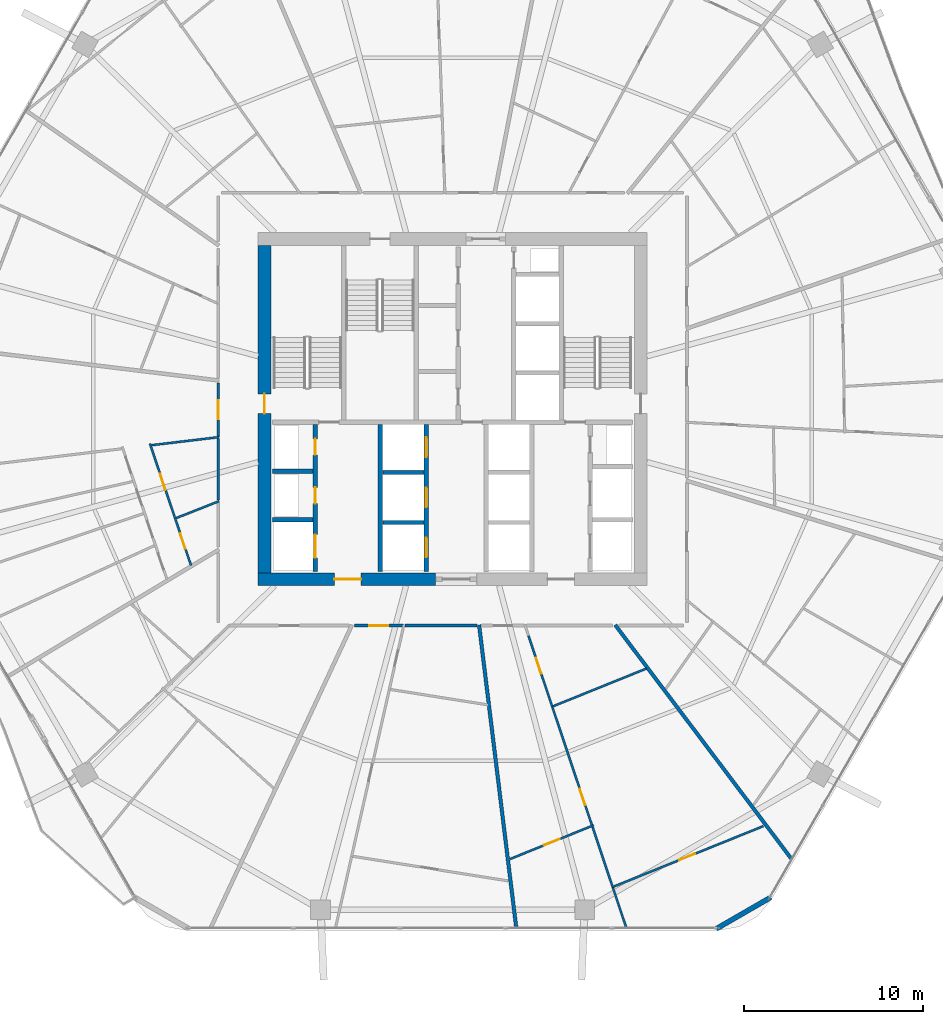
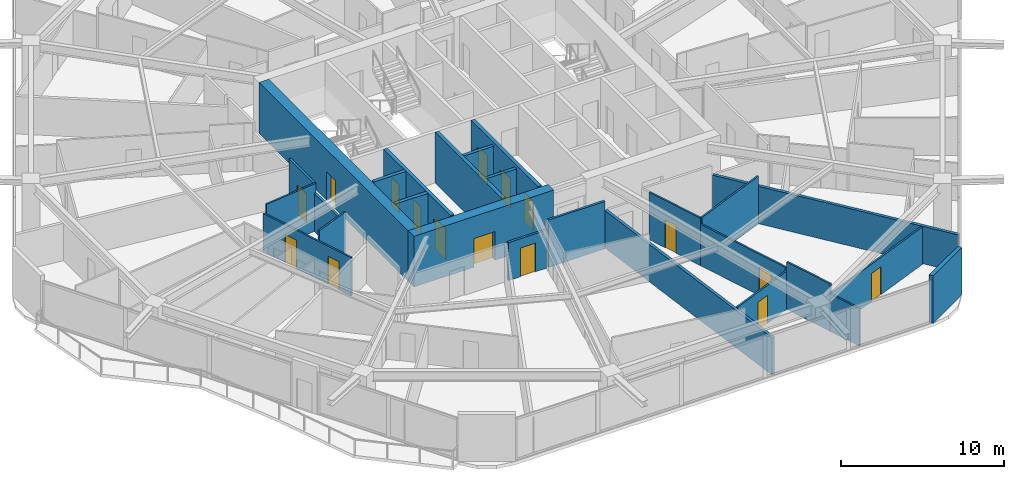
# One storey, part 25 of 32: 26 walls, 16 doors, 16 openings.
"""IFC4 building model written with IfcOpenShell, lengths in metres."""

from ifc_helpers import new_model, si_unit, direction, frame, frame_2d, origin, place, context, subcontext, project, spatial, rectangle, extrude, material, layer, layer_set, type_object, element, fill, save


model = new_model("IFC4")

# Units and contexts
model_context = context("Model", 3, precision=1e-05, world=origin(), true_north=direction((0.0, 1.0)))
body_context = subcontext(model_context, "Body", "Model", "MODEL_VIEW")
ifc_project = project(units=[si_unit("LENGTHUNIT", "METRE"), si_unit("AREAUNIT", "SQUARE_METRE"), si_unit("VOLUMEUNIT", "CUBIC_METRE"), si_unit("PLANEANGLEUNIT", "RADIAN"), si_unit("MASSUNIT", "GRAM", prefix="KILO")], contexts=[model_context])

# Site, building, storey
site_placement = place(None, origin())
site = spatial("IfcSite", under=ifc_project, at=site_placement, CompositionType="ELEMENT")
building_placement = place(site_placement, origin())
building = spatial("IfcBuilding", under=site, at=building_placement, Name="Zuhravey Tower", CompositionType="ELEMENT")
storey_placement = place(building_placement, frame((0.0, 0.0, 111.39990234375)))
storey = spatial("IfcBuildingStorey", under=building, at=storey_placement, Name="L27", CompositionType="ELEMENT", Elevation=111.39990234375)

# Wall, opening, door
ifc_material_1 = material(Name="Concrete C60/75", Category="concrete")
ifc_layer_1 = layer(ifc_material_1, 0.699951171875)
ifc_layer_set_1 = layer_set([ifc_layer_1], Name="Concrete C60/75")
wall_type_1 = type_object("IfcWallType", Name="Core Shear Wall 700", PredefinedType="SHEAR", material=ifc_layer_set_1)
wall_1_placement = place(storey_placement, frame((25.14990234375, 22.5, 0.0), z_axis=(0.0, 0.0, 1.0), x_axis=(1.0, 0.0, 0.0)))
wall_1 = element("IfcWall", 1, at=wall_1_placement, inside=storey, type_object=wall_type_1, Name="L27 South-West Core Shear Wall CW70", PredefinedType="SHEAR", context=body_context, shape_type="SweptSolid", body=[
    extrude(rectangle(XDim=9.900146484375, YDim=0.699951171875, at=frame_2d((4.9501953125, 0.0))), origin(), (0.0, 0.0, 1.0), 3.800048828125),
])
opening_1_placement = place(wall_1_placement, frame((4.25, 0.0, 0.0)))
opening_1 = element("IfcOpeningElement", 2, at=opening_1_placement, cuts=wall_1, Name="Opening FFD1", PredefinedType="OPENING", context=body_context, shape_type="SweptSolid", body=[
    extrude(rectangle(XDim=1.5, YDim=2.14990234375, at=frame_2d((0.75, 1.074951171875))), frame((0.0, 0.362060546875, 0.0), z_axis=(0.0, -1.0, 0.0), x_axis=(1.0, 0.0, 0.0)), (0.0, 0.0, 1.0), 0.723876953125),
])
ifc_material_2 = material(Name="Galvanised fire-rated steel leaf", Category="steel")
door_type_1 = type_object("IfcDoorType", Name="Firefighting Lobby Double Door 1500x2150", OperationType="DOUBLE_DOOR_SINGLE_SWING", PredefinedType="DOOR", material=ifc_material_2)
door_1_placement = place(opening_1_placement, origin())
door_1 = element("IfcDoor", 3, at=door_1_placement, inside=storey, type_object=door_type_1, Name="L27 Firefighting Lobby West Door", OperationType="DOUBLE_DOOR_SINGLE_SWING", OverallHeight=2.14990234375, OverallWidth=1.5, PredefinedType="DOOR", context=body_context, shape_type="SweptSolid", body=[
    extrude(rectangle(XDim=1.5, YDim=2.14990234375, at=frame_2d((0.75, 1.074951171875))), frame((0.0, 0.02490234375, 0.0), z_axis=(0.0, -1.0, 0.0), x_axis=(1.0, 0.0, 0.0)), (0.0, 0.0, 1.0), 0.050048828125),
])
fill(opening_1, door_1)

wall_2_placement = place(storey_placement, frame((25.5, 22.85009765625, 0.0), z_axis=(0.0, 0.0, 1.0), x_axis=(0.0, 1.0, 0.0)))
wall_2 = element("IfcWall", 4, at=wall_2_placement, inside=storey, type_object=wall_type_1, Name="L27 West Core Shear Wall CW70", PredefinedType="SHEAR", context=body_context, shape_type="SweptSolid", body=[
    extrude(rectangle(XDim=18.2998046875, YDim=0.699951171875, at=frame_2d((9.14990234375, 0.0))), origin(), (0.0, 0.0, 1.0), 3.800048828125),
])
opening_2_placement = place(wall_2_placement, frame((8.89990234375, 0.0, 0.0)))
opening_2 = element("IfcOpeningElement", 5, at=opening_2_placement, cuts=wall_2, Name="Opening STD1", PredefinedType="OPENING", context=body_context, shape_type="SweptSolid", body=[
    extrude(rectangle(XDim=1.10009765625, YDim=2.14990234375, at=frame_2d((0.550048828125, 1.074951171875))), frame((0.0, 0.362060546875, 0.0), z_axis=(0.0, -1.0, 0.0), x_axis=(1.0, 0.0, 0.0)), (0.0, 0.0, 1.0), 0.723876953125),
])
door_type_2 = type_object("IfcDoorType", Name="Protected Stair Fire Door 1100x2150", OperationType="NOTDEFINED", PredefinedType="USERDEFINED", material=ifc_material_2)
door_2_placement = place(opening_2_placement, frame((1.10009765625, 0.0, 0.0), z_axis=(0.0, 0.0, 1.0), x_axis=(-1.0, 0.0, 0.0)))
door_2 = element("IfcDoor", 6, at=door_2_placement, inside=storey, type_object=door_type_2, Name="L27 Stair ST1 Door", ObjectType="EXITDOOR", OperationType="SINGLE_SWING_RIGHT", OverallHeight=2.14990234375, OverallWidth=1.10009765625, PredefinedType="USERDEFINED", context=body_context, shape_type="SweptSolid", body=[
    extrude(rectangle(XDim=1.10009765625, YDim=2.14990234375, at=frame_2d((0.550048828125, 1.074951171875))), frame((0.0, 0.02490234375, 0.0), z_axis=(0.0, -1.0, 0.0), x_axis=(1.0, 0.0, 0.0)), (0.0, 0.0, 1.0), 0.050048828125),
])
fill(opening_2, door_2)

ifc_material_3 = material(Name="Gypsum fire-rated stud partition")
ifc_layer_2 = layer(ifc_material_3, 0.159912109375)
ifc_layer_set_2 = layer_set([ifc_layer_2], Name="Gypsum fire-rated stud partition")
wall_type_2 = type_object("IfcWallType", Name="Corridor Fire Partition 160", PredefinedType="PARTITIONING", material=ifc_layer_set_2)
wall_3_placement = place(storey_placement, frame((22.919921875, 33.47021484375, 0.0), z_axis=(0.0, 0.0, 1.0), x_axis=(0.0, -1.0, 0.0)))
wall_3 = element("IfcWall", 7, at=wall_3_placement, inside=storey, type_object=wall_type_2, Name="L27 IW16 Partition 046", PredefinedType="PARTITIONING", context=body_context, shape_type="SweptSolid", body=[
    extrude(rectangle(XDim=3.014404296875, YDim=0.159912109375, at=frame_2d((1.50732421875, 0.0))), origin(), (0.0, 0.0, 1.0), 3.550048828125),
])
opening_3_placement = place(wall_3_placement, frame((0.982177734375, 0.0, 0.0)))
opening_3 = element("IfcOpeningElement", 8, at=opening_3_placement, cuts=wall_3, Name="Opening APD1", PredefinedType="OPENING", context=body_context, shape_type="SweptSolid", body=[
    extrude(rectangle(XDim=1.050048828125, YDim=2.14990234375, at=frame_2d((0.52490234375, 1.074951171875))), frame((0.0, 0.092041015625, 0.0), z_axis=(0.0, -1.0, 0.0), x_axis=(1.0, 0.0, 0.0)), (0.0, 0.0, 1.0), 0.183837890625),
])
ifc_material_4 = material(Name="Solid-core oak fire-rated leaf")
door_type_3 = type_object("IfcDoorType", Name="Apartment Entrance Fire Door 1050x2150", OperationType="NOTDEFINED", PredefinedType="DOOR", material=ifc_material_4)
door_3_placement = place(opening_3_placement, frame((1.050048828125, 0.0, 0.0), z_axis=(0.0, 0.0, 1.0), x_axis=(-1.0, 0.0, 0.0)))
door_3 = element("IfcDoor", 9, at=door_3_placement, inside=storey, type_object=door_type_3, Name="L27 Door 046.1", OperationType="SINGLE_SWING_RIGHT", OverallHeight=2.14990234375, OverallWidth=1.050048828125, PredefinedType="DOOR", context=body_context, shape_type="SweptSolid", body=[
    extrude(rectangle(XDim=1.050048828125, YDim=2.14990234375, at=frame_2d((0.52490234375, 1.074951171875))), frame((0.0, 0.02490234375, 0.0), z_axis=(0.0, -1.0, 0.0), x_axis=(1.0, 0.0, 0.0)), (0.0, 0.0, 1.0), 0.050048828125),
])
fill(opening_3, door_3)

wall_4_placement = place(storey_placement, frame((30.516845703125, 19.919921875, 0.0), z_axis=(0.0, 0.0, 1.0), x_axis=(1.0, 0.0, 0.0)))
wall_4 = element("IfcWall", 10, at=wall_4_placement, inside=storey, type_object=wall_type_2, Name="L27 IW16 Partition 056", PredefinedType="PARTITIONING", context=body_context, shape_type="SweptSolid", body=[
    extrude(rectangle(XDim=2.73583984375, YDim=0.159912109375, at=frame_2d((1.367919921875, 0.0))), origin(), (0.0, 0.0, 1.0), 2.85009765625),
])
opening_4_placement = place(wall_4_placement, frame((0.843017578125, 0.0, 0.0)))
opening_4 = element("IfcOpeningElement", 11, at=opening_4_placement, cuts=wall_4, Name="Opening APD1", PredefinedType="OPENING", context=body_context, shape_type="SweptSolid", body=[
    extrude(rectangle(XDim=1.050048828125, YDim=2.14990234375, at=frame_2d((0.52490234375, 1.074951171875))), frame((0.0, 0.092041015625, 0.0), z_axis=(0.0, -1.0, 0.0), x_axis=(1.0, 0.0, 0.0)), (0.0, 0.0, 1.0), 0.183837890625),
])
door_4_placement = place(opening_4_placement, frame((1.050048828125, 0.0, 0.0), z_axis=(0.0, 0.0, 1.0), x_axis=(-1.0, 0.0, 0.0)))
door_4 = element("IfcDoor", 12, at=door_4_placement, inside=storey, type_object=door_type_3, Name="L27 Door 056.1", OperationType="SINGLE_SWING_RIGHT", OverallHeight=2.14990234375, OverallWidth=1.050048828125, PredefinedType="DOOR", context=body_context, shape_type="SweptSolid", body=[
    extrude(rectangle(XDim=1.050048828125, YDim=2.14990234375, at=frame_2d((0.52490234375, 1.074951171875))), frame((0.0, 0.02490234375, 0.0), z_axis=(0.0, -1.0, 0.0), x_axis=(1.0, 0.0, 0.0)), (0.0, 0.0, 1.0), 0.050048828125),
])
fill(opening_4, door_4)

# Walls
wall_5_placement = place(storey_placement, frame((22.919921875, 30.3671875, 0.0), z_axis=(0.0, 0.0, 1.0), x_axis=(0.0, -1.0, 0.0)))
element("IfcWall", 13, at=wall_5_placement, inside=storey, type_object=wall_type_2, Name="L27 IW16 Partition 144", PredefinedType="PARTITIONING", context=body_context, shape_type="SweptSolid", body=[
    extrude(rectangle(XDim=3.44677734375, YDim=0.159912109375, at=frame_2d((1.723388671875, 0.0))), origin(), (0.0, 0.0, 1.0), 2.85009765625),
])
wall_6_placement = place(storey_placement, frame((33.343017578125, 19.919921875, 0.0), z_axis=(0.0, 0.0, 1.0), x_axis=(1.0, 0.0, 0.0)))
element("IfcWall", 14, at=wall_6_placement, inside=storey, type_object=wall_type_2, Name="L27 IW16 Partition 147", PredefinedType="PARTITIONING", context=body_context, shape_type="SweptSolid", body=[
    extrude(rectangle(XDim=4.01318359375, YDim=0.159912109375, at=frame_2d((2.006591796875, 0.0))), origin(), (0.0, 0.0, 1.0), 3.550048828125),
])
ifc_material_5 = material(Name="Precast concrete C40/50", Category="concrete")
ifc_layer_3 = layer(ifc_material_5, 0.280029296875)
ifc_layer_set_3 = layer_set([ifc_layer_3], Name="Precast concrete C40/50")
wall_type_3 = type_object("IfcWallType", Name="Crown Architectural Wall 280", PredefinedType="SOLIDWALL", material=ifc_layer_set_3)
wall_7_placement = place(storey_placement, frame((53.76123046875, 4.75146484375, 0.0), z_axis=(0.0, 0.0, 1.0), x_axis=(-0.866007452331, -0.500031091541, 0.0)))
element("IfcWall", 15, at=wall_7_placement, inside=storey, type_object=wall_type_3, Name="L27 Rounded Corner Closure Wall EW28-02", PredefinedType="SOLIDWALL", context=body_context, shape_type="SweptSolid", body=[
    extrude(rectangle(XDim=3.514892578125, YDim=0.280029296875, at=frame_2d((1.75732421875, 0.0))), origin(), (0.0, 0.0, 1.0), 3.550048828125),
])
ifc_material_6 = material(Name="Concrete C50/60", Category="concrete")
ifc_layer_4 = layer(ifc_material_6, 0.25)
ifc_layer_set_4 = layer_set([ifc_layer_4], Name="Concrete C50/60")
wall_type_4 = type_object("IfcWallType", Name="Firefighting Shaft & Stair Wall 250", PredefinedType="SOLIDWALL", material=ifc_layer_set_4)
for number, where, z_axis, x_axis, name in (
    (16, (25.949951171875, 25.824951171875, 0.0), (0.0, 0.0, 1.0), (1.0, 0.0, 0.0), "L27 FW25 Shaft Wall 009"),
    (17, (25.949951171875, 28.52490234375, 0.0), (0.0, 0.0, 1.0), (1.0, 0.0, 0.0), "L27 FW25 Shaft Wall 010"),
):
    element("IfcWall", number, at=place(storey_placement, frame(where, z_axis=z_axis, x_axis=x_axis)), inside=storey, type_object=wall_type_4, Name=name, PredefinedType="SOLIDWALL", context=body_context, shape_type="SweptSolid", body=[
        extrude(rectangle(XDim=2.25, YDim=0.25, at=frame_2d((1.125, 0.0))), origin(), (0.0, 0.0, 1.0), 3.800048828125),
    ])

# Wall, openings, doors
wall_8_placement = place(storey_placement, frame((28.324951171875, 22.949951171875, 0.0), z_axis=(0.0, 0.0, 1.0), x_axis=(0.0, 1.0, 0.0)))
wall_8 = element("IfcWall", 18, at=wall_8_placement, inside=storey, type_object=wall_type_4, Name="L27 FW25 Shaft Wall 011", PredefinedType="SOLIDWALL", context=body_context, shape_type="SweptSolid", body=[
    extrude(rectangle(XDim=8.199951171875, YDim=0.25, at=frame_2d((4.10009765625, 0.0))), origin(), (0.0, 0.0, 1.0), 3.800048828125),
])
opening_5_placement = place(wall_8_placement, frame((0.75, 0.0, 0.0)))
opening_5 = element("IfcOpeningElement", 19, at=opening_5_placement, cuts=wall_8, Name="Opening LD2", PredefinedType="OPENING", context=body_context, shape_type="SweptSolid", body=[
    extrude(rectangle(XDim=1.300048828125, YDim=2.300048828125, at=frame_2d((0.64990234375, 1.14990234375))), frame((0.0, 0.136962890625, 0.0), z_axis=(0.0, -1.0, 0.0), x_axis=(1.0, 0.0, 0.0)), (0.0, 0.0, 1.0), 0.27392578125),
])
opening_6_placement = place(wall_8_placement, frame((3.780029296875, 0.0, 0.0)))
opening_6 = element("IfcOpeningElement", 20, at=opening_6_placement, cuts=wall_8, Name="Opening RSD1", PredefinedType="OPENING", context=body_context, shape_type="SweptSolid", body=[
    extrude(rectangle(XDim=0.89990234375, YDim=2.10009765625, at=frame_2d((0.449951171875, 1.050048828125))), frame((0.0, 0.136962890625, 0.0), z_axis=(0.0, -1.0, 0.0), x_axis=(1.0, 0.0, 0.0)), (0.0, 0.0, 1.0), 0.27392578125),
])
opening_7_placement = place(wall_8_placement, frame((6.5, 0.0, 0.0)))
opening_7 = element("IfcOpeningElement", 21, at=opening_7_placement, cuts=wall_8, Name="Opening RSD1", PredefinedType="OPENING", context=body_context, shape_type="SweptSolid", body=[
    extrude(rectangle(XDim=0.89990234375, YDim=2.10009765625, at=frame_2d((0.449951171875, 1.050048828125))), frame((0.0, 0.136962890625, 0.0), z_axis=(0.0, -1.0, 0.0), x_axis=(1.0, 0.0, 0.0)), (0.0, 0.0, 1.0), 0.27392578125),
])
ifc_material_7 = material(Name="Brushed stainless steel", Category="steel")
door_type_4 = type_object("IfcDoorType", Name="Freight & Stretcher Lift Sliding Door 1300x2300", OperationType="DOUBLE_DOOR_SLIDING", PredefinedType="DOOR", material=ifc_material_7)
door_5_placement = place(opening_5_placement, frame((1.300048828125, 0.0, 0.0), z_axis=(0.0, 0.0, 1.0), x_axis=(-1.0, 0.0, 0.0)))
door_5 = element("IfcDoor", 22, at=door_5_placement, inside=storey, type_object=door_type_4, Name="L27 Lift FF1 Landing Door", OperationType="DOUBLE_DOOR_SLIDING", OverallHeight=2.300048828125, OverallWidth=1.300048828125, PredefinedType="DOOR", context=body_context, shape_type="SweptSolid", body=[
    extrude(rectangle(XDim=1.300048828125, YDim=2.300048828125, at=frame_2d((0.64990234375, 1.14990234375))), frame((0.0, 0.02490234375, 0.0), z_axis=(0.0, -1.0, 0.0), x_axis=(1.0, 0.0, 0.0)), (0.0, 0.0, 1.0), 0.050048828125),
])
fill(opening_5, door_5)
ifc_material_8 = material(Name="Galvanised fire-rated steel access leaf", Category="steel")
door_type_5 = type_object("IfcDoorType", Name="Riser & Shaft Access Fire Door 900x2100", OperationType="NOTDEFINED", PredefinedType="DOOR", material=ifc_material_8)
door_6_placement = place(opening_6_placement, frame((0.89990234375, 0.0, 0.0), z_axis=(0.0, 0.0, 1.0), x_axis=(-1.0, 0.0, 0.0)))
door_6 = element("IfcDoor", 23, at=door_6_placement, inside=storey, type_object=door_type_5, Name="L27 Electrical Riser Door", OperationType="SINGLE_SWING_RIGHT", OverallHeight=2.10009765625, OverallWidth=0.89990234375, PredefinedType="DOOR", context=body_context, shape_type="SweptSolid", body=[
    extrude(rectangle(XDim=0.89990234375, YDim=2.10009765625, at=frame_2d((0.449951171875, 1.050048828125))), frame((0.0, 0.02490234375, 0.0), z_axis=(0.0, -1.0, 0.0), x_axis=(1.0, 0.0, 0.0)), (0.0, 0.0, 1.0), 0.050048828125),
])
fill(opening_6, door_6)
door_7_placement = place(opening_7_placement, frame((0.89990234375, 0.0, 0.0), z_axis=(0.0, 0.0, 1.0), x_axis=(-1.0, 0.0, 0.0)))
door_7 = element("IfcDoor", 24, at=door_7_placement, inside=storey, type_object=door_type_5, Name="L27 Smoke Shaft Access Door", OperationType="SINGLE_SWING_LEFT", OverallHeight=2.10009765625, OverallWidth=0.89990234375, PredefinedType="DOOR", context=body_context, shape_type="SweptSolid", body=[
    extrude(rectangle(XDim=0.89990234375, YDim=2.10009765625, at=frame_2d((0.449951171875, 1.050048828125))), frame((0.0, 0.02490234375, 0.0), z_axis=(0.0, -1.0, 0.0), x_axis=(1.0, 0.0, 0.0)), (0.0, 0.0, 1.0), 0.050048828125),
])
fill(opening_7, door_7)

# Wall
wall_9_placement = place(storey_placement, frame((31.97509765625, 22.949951171875, 0.0), z_axis=(0.0, 0.0, 1.0), x_axis=(0.0, 1.0, 0.0)))
element("IfcWall", 25, at=wall_9_placement, inside=storey, type_object=wall_type_4, Name="L27 FW25 Shaft Wall 012", PredefinedType="SOLIDWALL", context=body_context, shape_type="SweptSolid", body=[
    extrude(rectangle(XDim=8.199951171875, YDim=0.25, at=frame_2d((4.10009765625, 0.0))), origin(), (0.0, 0.0, 1.0), 3.800048828125),
])

# Wall, openings, doors
wall_10_placement = place(storey_placement, frame((34.52490234375, 22.949951171875, 0.0), z_axis=(0.0, 0.0, 1.0), x_axis=(0.0, 1.0, 0.0)))
wall_10 = element("IfcWall", 26, at=wall_10_placement, inside=storey, type_object=wall_type_4, Name="L27 FW25 Shaft Wall 013", PredefinedType="SOLIDWALL", context=body_context, shape_type="SweptSolid", body=[
    extrude(rectangle(XDim=8.199951171875, YDim=0.25, at=frame_2d((4.10009765625, 0.0))), origin(), (0.0, 0.0, 1.0), 3.800048828125),
])
opening_8_placement = place(wall_10_placement, frame((0.77490234375, 0.0, 0.0)))
opening_8 = element("IfcOpeningElement", 27, at=opening_8_placement, cuts=wall_10, Name="Opening LD1", PredefinedType="OPENING", context=body_context, shape_type="SweptSolid", body=[
    extrude(rectangle(XDim=1.10009765625, YDim=2.199951171875, at=frame_2d((0.550048828125, 1.10009765625))), frame((0.0, 0.136962890625, 0.0), z_axis=(0.0, -1.0, 0.0), x_axis=(1.0, 0.0, 0.0)), (0.0, 0.0, 1.0), 0.27392578125),
])
opening_9_placement = place(wall_10_placement, frame((3.574951171875, 0.0, 0.0)))
opening_9 = element("IfcOpeningElement", 28, at=opening_9_placement, cuts=wall_10, Name="Opening LD1", PredefinedType="OPENING", context=body_context, shape_type="SweptSolid", body=[
    extrude(rectangle(XDim=1.10009765625, YDim=2.199951171875, at=frame_2d((0.550048828125, 1.10009765625))), frame((0.0, 0.136962890625, 0.0), z_axis=(0.0, -1.0, 0.0), x_axis=(1.0, 0.0, 0.0)), (0.0, 0.0, 1.0), 0.27392578125),
])
opening_10_placement = place(wall_10_placement, frame((6.375, 0.0, 0.0)))
opening_10 = element("IfcOpeningElement", 29, at=opening_10_placement, cuts=wall_10, Name="Opening LD1", PredefinedType="OPENING", context=body_context, shape_type="SweptSolid", body=[
    extrude(rectangle(XDim=1.10009765625, YDim=2.199951171875, at=frame_2d((0.550048828125, 1.10009765625))), frame((0.0, 0.136962890625, 0.0), z_axis=(0.0, -1.0, 0.0), x_axis=(1.0, 0.0, 0.0)), (0.0, 0.0, 1.0), 0.27392578125),
])
door_type_6 = type_object("IfcDoorType", Name="Lift Landing Sliding Door 1100x2200", OperationType="DOUBLE_DOOR_SLIDING", PredefinedType="DOOR", material=ifc_material_7)
door_8_placement = place(opening_8_placement, frame((1.10009765625, 0.0, 0.0), z_axis=(0.0, 0.0, 1.0), x_axis=(-1.0, 0.0, 0.0)))
door_8 = element("IfcDoor", 30, at=door_8_placement, inside=storey, type_object=door_type_6, Name="L27 Lift PL1 Landing Door", OperationType="DOUBLE_DOOR_SLIDING", OverallHeight=2.199951171875, OverallWidth=1.10009765625, PredefinedType="DOOR", context=body_context, shape_type="SweptSolid", body=[
    extrude(rectangle(XDim=1.10009765625, YDim=2.199951171875, at=frame_2d((0.550048828125, 1.10009765625))), frame((0.0, 0.02490234375, 0.0), z_axis=(0.0, -1.0, 0.0), x_axis=(1.0, 0.0, 0.0)), (0.0, 0.0, 1.0), 0.050048828125),
])
fill(opening_8, door_8)
door_9_placement = place(opening_9_placement, frame((1.10009765625, 0.0, 0.0), z_axis=(0.0, 0.0, 1.0), x_axis=(-1.0, 0.0, 0.0)))
door_9 = element("IfcDoor", 31, at=door_9_placement, inside=storey, type_object=door_type_6, Name="L27 Lift PL2 Landing Door", OperationType="DOUBLE_DOOR_SLIDING", OverallHeight=2.199951171875, OverallWidth=1.10009765625, PredefinedType="DOOR", context=body_context, shape_type="SweptSolid", body=[
    extrude(rectangle(XDim=1.10009765625, YDim=2.199951171875, at=frame_2d((0.550048828125, 1.10009765625))), frame((0.0, 0.02490234375, 0.0), z_axis=(0.0, -1.0, 0.0), x_axis=(1.0, 0.0, 0.0)), (0.0, 0.0, 1.0), 0.050048828125),
])
fill(opening_9, door_9)
door_10_placement = place(opening_10_placement, frame((1.10009765625, 0.0, 0.0), z_axis=(0.0, 0.0, 1.0), x_axis=(-1.0, 0.0, 0.0)))
door_10 = element("IfcDoor", 32, at=door_10_placement, inside=storey, type_object=door_type_6, Name="L27 Lift PL3 Landing Door", OperationType="DOUBLE_DOOR_SLIDING", OverallHeight=2.199951171875, OverallWidth=1.10009765625, PredefinedType="DOOR", context=body_context, shape_type="SweptSolid", body=[
    extrude(rectangle(XDim=1.10009765625, YDim=2.199951171875, at=frame_2d((0.550048828125, 1.10009765625))), frame((0.0, 0.02490234375, 0.0), z_axis=(0.0, -1.0, 0.0), x_axis=(1.0, 0.0, 0.0)), (0.0, 0.0, 1.0), 0.050048828125),
])
fill(opening_10, door_10)

# Walls
ifc_material_9 = material(Name="Gypsum double-stud party assembly")
ifc_layer_5 = layer(ifc_material_9, 0.199951171875)
ifc_layer_set_5 = layer_set([ifc_layer_5], Name="Gypsum double-stud party assembly")
wall_type_5 = type_object("IfcWallType", Name="Inter-Tenancy Party Wall 200", PredefinedType="PARTITIONING", material=ifc_layer_set_5)
wall_11_placement = place(storey_placement, frame((37.478271484375, 19.9599609375, 0.0), z_axis=(0.0, 0.0, 1.0), x_axis=(0.121873230726, -0.992545674331, 0.0)))
element("IfcWall", 33, at=wall_11_placement, inside=storey, type_object=wall_type_5, Name="L27 IW20 Partition 123", PredefinedType="PARTITIONING", context=body_context, shape_type="SweptSolid", body=[
    extrude(rectangle(XDim=17.04541015625, YDim=0.199951171875, at=frame_2d((8.522705078125, 0.0))), origin(), (0.0, 0.0, 1.0), 2.800048828125),
])
wall_12_placement = place(storey_placement, frame((45.07275390625, 19.9599609375, 0.0), z_axis=(0.0, 0.0, 1.0), x_axis=(0.60181525353, -0.798635336445, 0.0)))
element("IfcWall", 34, at=wall_12_placement, inside=storey, type_object=wall_type_5, Name="L27 IW20 Partition 127", PredefinedType="PARTITIONING", context=body_context, shape_type="SweptSolid", body=[
    extrude(rectangle(XDim=16.383544921875, YDim=0.199951171875, at=frame_2d((8.19189453125, 0.0))), origin(), (0.0, 0.0, 1.0), 2.800048828125),
])
ifc_material_10 = material(Name="Gypsum acoustic stud assembly")
ifc_layer_6 = layer(ifc_material_10, 0.219970703125)
ifc_layer_set_6 = layer_set([ifc_layer_6], Name="Gypsum acoustic stud assembly")
wall_type_6 = type_object("IfcWallType", Name="School Acoustic Compartment Wall 220", PredefinedType="PARTITIONING", material=ifc_layer_set_6)
for number, where, z_axis, x_axis, name in (
    (35, (32.10791015625, 25.675048828125, 0.0), (0.0, 0.0, 1.0), (1.0, 0.0, 0.0), "L27 IW22 Partition 080"),
    (36, (32.10791015625, 28.47509765625, 0.0), (0.0, 0.0, 1.0), (1.0, 0.0, 0.0), "L27 IW22 Partition 081"),
):
    element("IfcWall", number, at=place(storey_placement, frame(where, z_axis=z_axis, x_axis=x_axis)), inside=storey, type_object=wall_type_6, Name=name, PredefinedType="PARTITIONING", context=body_context, shape_type="SweptSolid", body=[
        extrude(rectangle(XDim=2.2841796875, YDim=0.219970703125, at=frame_2d((1.14208984375, 0.0))), origin(), (0.0, 0.0, 1.0), 3.550048828125),
    ])

# Wall, openings, doors
ifc_material_11 = material(Name="Gypsum metal-stud partition")
ifc_layer_7 = layer(ifc_material_11, 0.1201171875)
ifc_layer_set_7 = layer_set([ifc_layer_7], Name="Gypsum metal-stud partition")
wall_type_7 = type_object("IfcWallType", Name="Unit Internal Partition 120", PredefinedType="PARTITIONING", material=ifc_layer_set_7)
wall_13_placement = place(storey_placement, frame((19.102783203125, 30.079833984375, 0.0), z_axis=(0.0, 0.0, 1.0), x_axis=(0.319961945867, -0.947430394909, 0.0)))
wall_13 = element("IfcWall", 37, at=wall_13_placement, inside=storey, type_object=wall_type_7, Name="L27 IW12 Partition 044", PredefinedType="PARTITIONING", context=body_context, shape_type="SweptSolid", body=[
    extrude(rectangle(XDim=7.174072265625, YDim=0.1201171875, at=frame_2d((3.5869140625, 0.0))), origin(), (0.0, 0.0, 1.0), 2.85009765625),
])
opening_11_placement = place(wall_13_placement, frame((1.7822265625, 0.0, 0.0)))
opening_11 = element("IfcOpeningElement", 38, at=opening_11_placement, cuts=wall_13, Name="Opening IND1", PredefinedType="OPENING", context=body_context, shape_type="SweptSolid", body=[
    extrude(rectangle(XDim=0.949951171875, YDim=2.10009765625, at=frame_2d((0.47509765625, 1.050048828125))), frame((0.0, 0.072021484375, 0.0), z_axis=(0.0, -1.0, 0.0), x_axis=(1.0, 0.0, 0.0)), (0.0, 0.0, 1.0), 0.14404296875),
])
opening_12_placement = place(wall_13_placement, frame((5.2919921875, 0.0, 0.0)))
opening_12 = element("IfcOpeningElement", 39, at=opening_12_placement, cuts=wall_13, Name="Opening WCD1", PredefinedType="OPENING", context=body_context, shape_type="SweptSolid", body=[
    extrude(rectangle(XDim=0.89990234375, YDim=2.10009765625, at=frame_2d((0.449951171875, 1.050048828125))), frame((0.0, 0.072021484375, 0.0), z_axis=(0.0, -1.0, 0.0), x_axis=(1.0, 0.0, 0.0)), (0.0, 0.0, 1.0), 0.14404296875),
])
ifc_material_12 = material(Name="Moisture-resistant timber leaf", Category="wood")
door_type_7 = type_object("IfcDoorType", Name="Bathroom & WC Internal Door 900x2100", OperationType="NOTDEFINED", PredefinedType="DOOR", material=ifc_material_12)
door_11_placement = place(opening_12_placement, origin())
door_11 = element("IfcDoor", 40, at=door_11_placement, inside=storey, type_object=door_type_7, Name="Apartment L27-06 Bathroom Door", OperationType="SINGLE_SWING_LEFT", OverallHeight=2.10009765625, OverallWidth=0.89990234375, PredefinedType="DOOR", context=body_context, shape_type="SweptSolid", body=[
    extrude(rectangle(XDim=0.89990234375, YDim=2.10009765625, at=frame_2d((0.449951171875, 1.050048828125))), frame((0.0, 0.02490234375, 0.0), z_axis=(0.0, -1.0, 0.0), x_axis=(1.0, 0.0, 0.0)), (0.0, 0.0, 1.0), 0.050048828125),
])
fill(opening_12, door_11)
ifc_material_13 = material(Name="Painted engineered timber leaf", Category="wood")
door_type_8 = type_object("IfcDoorType", Name="Internal Room & Bedroom Door 950x2100", OperationType="NOTDEFINED", PredefinedType="DOOR", material=ifc_material_13)
door_12_placement = place(opening_11_placement, origin())
door_12 = element("IfcDoor", 41, at=door_12_placement, inside=storey, type_object=door_type_8, Name="Apartment L27-06 Kitchen Door", OperationType="SINGLE_SWING_RIGHT", OverallHeight=2.10009765625, OverallWidth=0.949951171875, PredefinedType="DOOR", context=body_context, shape_type="SweptSolid", body=[
    extrude(rectangle(XDim=0.949951171875, YDim=2.10009765625, at=frame_2d((0.47509765625, 1.050048828125))), frame((0.0, 0.02490234375, 0.0), z_axis=(0.0, -1.0, 0.0), x_axis=(1.0, 0.0, 0.0)), (0.0, 0.0, 1.0), 0.050048828125),
])
fill(opening_11, door_12)

# Wall, opening, door
wall_14_placement = place(storey_placement, frame((39.205078125, 6.888916015625, 0.0), z_axis=(0.0, 0.0, 1.0), x_axis=(0.927186587095, 0.3745998301, 0.0)))
wall_14 = element("IfcWall", 42, at=wall_14_placement, inside=storey, type_object=wall_type_7, Name="L27 IW12 Partition 057", PredefinedType="PARTITIONING", context=body_context, shape_type="SweptSolid", body=[
    extrude(rectangle(XDim=5.04638671875, YDim=0.1201171875, at=frame_2d((2.523193359375, 0.0))), origin(), (0.0, 0.0, 1.0), 2.85009765625),
])
opening_13_placement = place(wall_14_placement, frame((2.048095703125, 0.0, 0.0)))
opening_13 = element("IfcOpeningElement", 43, at=opening_13_placement, cuts=wall_14, Name="Opening IND1", PredefinedType="OPENING", context=body_context, shape_type="SweptSolid", body=[
    extrude(rectangle(XDim=0.949951171875, YDim=2.10009765625, at=frame_2d((0.47509765625, 1.050048828125))), frame((0.0, 0.072021484375, 0.0), z_axis=(0.0, -1.0, 0.0), x_axis=(1.0, 0.0, 0.0)), (0.0, 0.0, 1.0), 0.14404296875),
])
door_13_placement = place(opening_13_placement, frame((0.949951171875, 0.0, 0.0), z_axis=(0.0, 0.0, 1.0), x_axis=(-1.0, 0.0, 0.0)))
door_13 = element("IfcDoor", 44, at=door_13_placement, inside=storey, type_object=door_type_8, Name="Apartment L27-09 Family Study Door", OperationType="SINGLE_SWING_LEFT", OverallHeight=2.10009765625, OverallWidth=0.949951171875, PredefinedType="DOOR", context=body_context, shape_type="SweptSolid", body=[
    extrude(rectangle(XDim=0.949951171875, YDim=2.10009765625, at=frame_2d((0.47509765625, 1.050048828125))), frame((0.0, 0.02490234375, 0.0), z_axis=(0.0, -1.0, 0.0), x_axis=(1.0, 0.0, 0.0)), (0.0, 0.0, 1.0), 0.050048828125),
])
fill(opening_13, door_13)

wall_15_placement = place(storey_placement, frame((40.237548828125, 19.35009765625, 0.0), z_axis=(0.0, 0.0, 1.0), x_axis=(0.317607066426, -0.948222416607, 0.0)))
wall_15 = element("IfcWall", 45, at=wall_15_placement, inside=storey, type_object=wall_type_7, Name="L27 IW12 Partition 058", PredefinedType="PARTITIONING", context=body_context, shape_type="SweptSolid", body=[
    extrude(rectangle(XDim=4.19384765625, YDim=0.1201171875, at=frame_2d((2.096923828125, 0.0))), origin(), (0.0, 0.0, 1.0), 3.550048828125),
])
opening_14_placement = place(wall_15_placement, frame((1.311279296875, 0.0, 0.0)))
opening_14 = element("IfcOpeningElement", 46, at=opening_14_placement, cuts=wall_15, Name="Opening WCD1", PredefinedType="OPENING", context=body_context, shape_type="SweptSolid", body=[
    extrude(rectangle(XDim=0.89990234375, YDim=2.10009765625, at=frame_2d((0.449951171875, 1.050048828125))), frame((0.0, 0.072021484375, 0.0), z_axis=(0.0, -1.0, 0.0), x_axis=(1.0, 0.0, 0.0)), (0.0, 0.0, 1.0), 0.14404296875),
])
door_14_placement = place(opening_14_placement, origin())
door_14 = element("IfcDoor", 47, at=door_14_placement, inside=storey, type_object=door_type_7, Name="Apartment L27-09 Bathroom Door", OperationType="SINGLE_SWING_RIGHT", OverallHeight=2.10009765625, OverallWidth=0.89990234375, PredefinedType="DOOR", context=body_context, shape_type="SweptSolid", body=[
    extrude(rectangle(XDim=0.89990234375, YDim=2.10009765625, at=frame_2d((0.449951171875, 1.050048828125))), frame((0.0, 0.02490234375, 0.0), z_axis=(0.0, -1.0, 0.0), x_axis=(1.0, 0.0, 0.0)), (0.0, 0.0, 1.0), 0.050048828125),
])
fill(opening_14, door_14)

wall_16_placement = place(storey_placement, frame((41.569580078125, 15.373291015625, 0.0), z_axis=(0.0, 0.0, 1.0), x_axis=(0.317623415575, -0.948216940303, 0.0)))
wall_16 = element("IfcWall", 48, at=wall_16_placement, inside=storey, type_object=wall_type_7, Name="L27 IW12 Partition 059", PredefinedType="PARTITIONING", context=body_context, shape_type="SweptSolid", body=[
    extrude(rectangle(XDim=6.925537109375, YDim=0.1201171875, at=frame_2d((3.462890625, 0.0))), origin(), (0.0, 0.0, 1.0), 3.10009765625),
])
opening_15_placement = place(wall_16_placement, frame((4.809814453125, 0.0, 0.0)))
opening_15 = element("IfcOpeningElement", 49, at=opening_15_placement, cuts=wall_16, Name="Opening IND1", PredefinedType="OPENING", context=body_context, shape_type="SweptSolid", body=[
    extrude(rectangle(XDim=0.949951171875, YDim=2.10009765625, at=frame_2d((0.47509765625, 1.050048828125))), frame((0.0, 0.072021484375, 0.0), z_axis=(0.0, -1.0, 0.0), x_axis=(1.0, 0.0, 0.0)), (0.0, 0.0, 1.0), 0.14404296875),
])
door_15_placement = place(opening_15_placement, origin())
door_15 = element("IfcDoor", 50, at=door_15_placement, inside=storey, type_object=door_type_8, Name="Apartment L27-09 Home Office Door", OperationType="SINGLE_SWING_LEFT", OverallHeight=2.10009765625, OverallWidth=0.949951171875, PredefinedType="DOOR", context=body_context, shape_type="SweptSolid", body=[
    extrude(rectangle(XDim=0.949951171875, YDim=2.10009765625, at=frame_2d((0.47509765625, 1.050048828125))), frame((0.0, 0.02490234375, 0.0), z_axis=(0.0, -1.0, 0.0), x_axis=(1.0, 0.0, 0.0)), (0.0, 0.0, 1.0), 0.050048828125),
])
fill(opening_15, door_15)

# Wall
wall_17_placement = place(storey_placement, frame((43.812744140625, 8.67724609375, 0.0), z_axis=(0.0, 0.0, 1.0), x_axis=(0.317627204672, -0.948215671065, 0.0)))
element("IfcWall", 51, at=wall_17_placement, inside=storey, type_object=wall_type_7, Name="L27 IW12 Partition 060", PredefinedType="PARTITIONING", context=body_context, shape_type="SweptSolid", body=[
    extrude(rectangle(XDim=3.55810546875, YDim=0.1201171875, at=frame_2d((1.779052734375, 0.0))), origin(), (0.0, 0.0, 1.0), 3.550048828125),
])

# Wall, opening, door
wall_18_placement = place(storey_placement, frame((44.998046875, 5.3525390625, 0.0), z_axis=(0.0, 0.0, 1.0), x_axis=(0.927180810677, 0.374614127221, 0.0)))
wall_18 = element("IfcWall", 52, at=wall_18_placement, inside=storey, type_object=wall_type_7, Name="L27 IW12 Partition 061", PredefinedType="PARTITIONING", context=body_context, shape_type="SweptSolid", body=[
    extrude(rectangle(XDim=9.004150390625, YDim=0.1201171875, at=frame_2d((4.501953125, 0.0))), origin(), (0.0, 0.0, 1.0), 2.800048828125),
])
opening_16_placement = place(wall_18_placement, frame((3.94287109375, 0.0, 0.0)))
opening_16 = element("IfcOpeningElement", 53, at=opening_16_placement, cuts=wall_18, Name="Opening IND1", PredefinedType="OPENING", context=body_context, shape_type="SweptSolid", body=[
    extrude(rectangle(XDim=0.949951171875, YDim=2.10009765625, at=frame_2d((0.47509765625, 1.050048828125))), frame((0.0, 0.072021484375, 0.0), z_axis=(0.0, -1.0, 0.0), x_axis=(1.0, 0.0, 0.0)), (0.0, 0.0, 1.0), 0.14404296875),
])
door_16_placement = place(opening_16_placement, frame((0.949951171875, 0.0, 0.0), z_axis=(0.0, 0.0, 1.0), x_axis=(-1.0, 0.0, 0.0)))
door_16 = element("IfcDoor", 54, at=door_16_placement, inside=storey, type_object=door_type_8, Name="Apartment L27-09 Kitchen Door", OperationType="SINGLE_SWING_RIGHT", OverallHeight=2.10009765625, OverallWidth=0.949951171875, PredefinedType="DOOR", context=body_context, shape_type="SweptSolid", body=[
    extrude(rectangle(XDim=0.949951171875, YDim=2.10009765625, at=frame_2d((0.47509765625, 1.050048828125))), frame((0.0, 0.02490234375, 0.0), z_axis=(0.0, -1.0, 0.0), x_axis=(1.0, 0.0, 0.0)), (0.0, 0.0, 1.0), 0.050048828125),
])
fill(opening_16, door_16)

# Walls
wall_19_placement = place(storey_placement, frame((22.969970703125, 26.866943359375, 0.0), z_axis=(0.0, 0.0, 1.0), x_axis=(-0.930402504974, -0.366539464095, 0.0)))
element("IfcWall", 55, at=wall_19_placement, inside=storey, type_object=wall_type_7, Name="L27 IW12 Partition 106", PredefinedType="PARTITIONING", context=body_context, shape_type="SweptSolid", body=[
    extrude(rectangle(XDim=2.571044921875, YDim=0.1201171875, at=frame_2d((1.28564453125, 0.0))), origin(), (0.0, 0.0, 1.0), 3.550048828125),
])
wall_20_placement = place(storey_placement, frame((22.9697265625, 30.441650390625, 0.0), z_axis=(0.0, 0.0, 1.0), x_axis=(-0.992919730028, -0.118787245617, 0.0)))
element("IfcWall", 56, at=wall_20_placement, inside=storey, type_object=wall_type_7, Name="L27 IW12 Partition 110", PredefinedType="PARTITIONING", context=body_context, shape_type="SweptSolid", body=[
    extrude(rectangle(XDim=3.7919921875, YDim=0.1201171875, at=frame_2d((1.89599609375, 0.0))), origin(), (0.0, 0.0, 1.0), 3.550048828125),
])
wall_21_placement = place(storey_placement, frame((44.94287109375, 5.303466796875, 0.0), z_axis=(0.0, 0.0, 1.0), x_axis=(0.317697926169, -0.948191978297, 0.0)))
element("IfcWall", 57, at=wall_21_placement, inside=storey, type_object=wall_type_7, Name="L27 IW12 Partition 125", PredefinedType="PARTITIONING", context=body_context, shape_type="SweptSolid", body=[
    extrude(rectangle(XDim=2.390625, YDim=0.1201171875, at=frame_2d((1.1953125, 0.0))), origin(), (0.0, 0.0, 1.0), 2.800048828125),
])
wall_22_placement = place(storey_placement, frame((41.624755859375, 15.422607421875, 0.0), z_axis=(0.0, 0.0, 1.0), x_axis=(0.927188436263, 0.374595253121, 0.0)))
element("IfcWall", 58, at=wall_22_placement, inside=storey, type_object=wall_type_7, Name="L27 IW12 Partition 126", PredefinedType="PARTITIONING", context=body_context, shape_type="SweptSolid", body=[
    extrude(rectangle(XDim=5.6181640625, YDim=0.1201171875, at=frame_2d((2.80908203125, 0.0))), origin(), (0.0, 0.0, 1.0), 3.550048828125),
])

save(model, "model.ifc")
